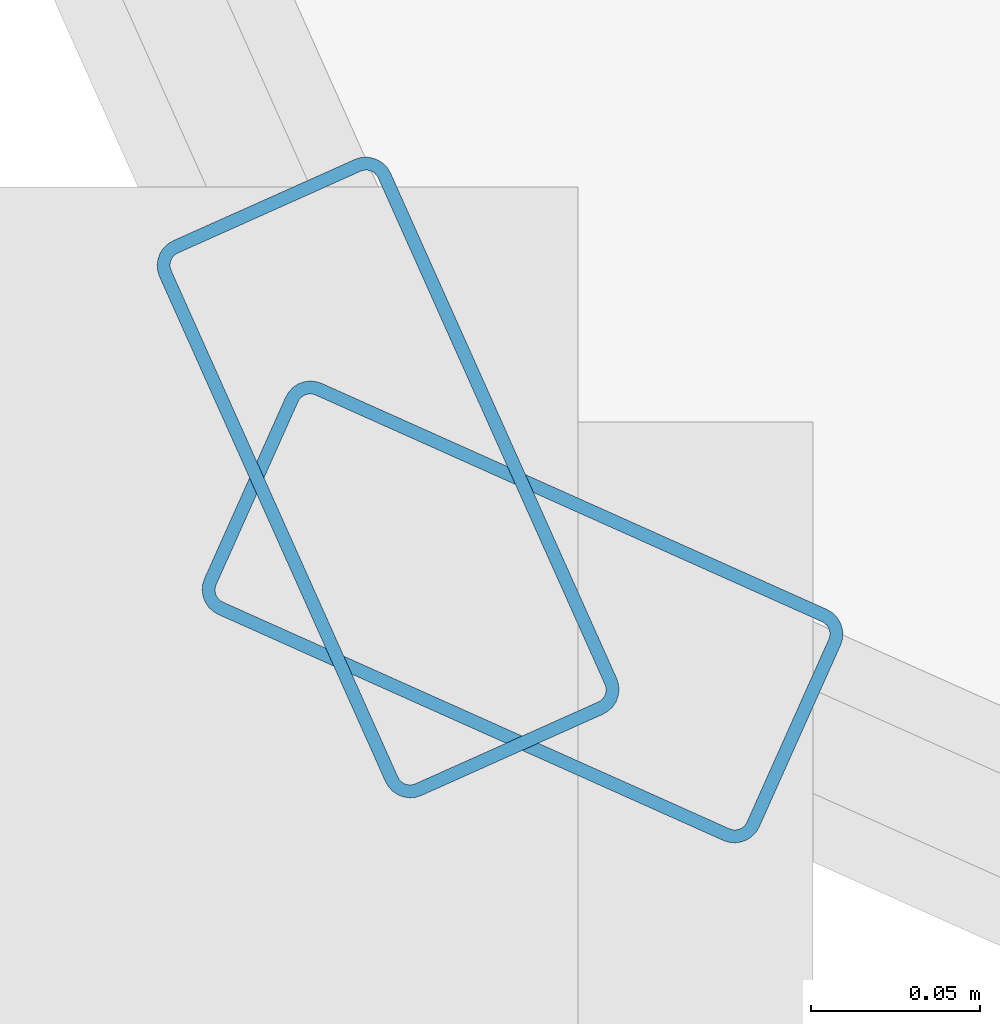
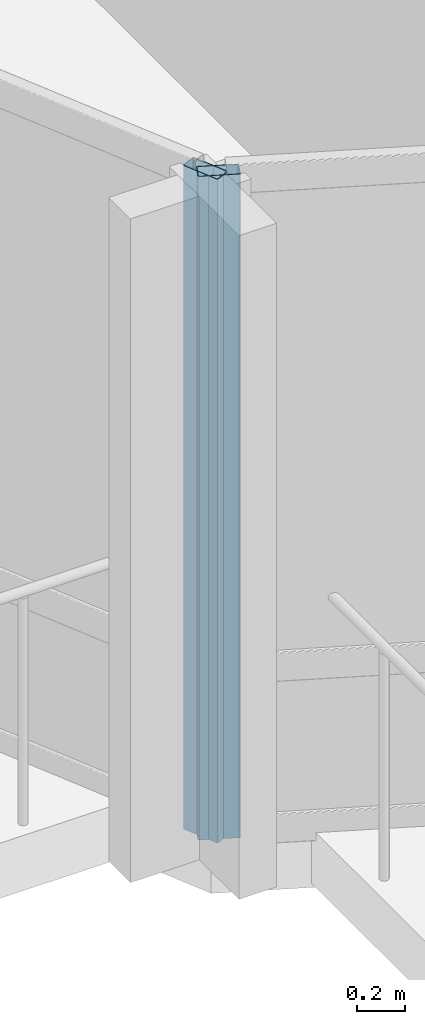
# One storey, part 2 of 19: 2 members, 2 elements without a shape of their own.
"""IFC4 building model written with IfcOpenShell, lengths in metres."""

from ifc_helpers import new_model, si_unit, direction, frame, origin, origin_2d, place, context, subcontext, project, spatial, hollow_rectangle, extrude, material, layer, layer_set, material_profile, profile_set, type_object, element, aggregate, save


model = new_model("IFC4")

# Units and contexts
model_context = context("Model", 3, precision=1e-05, world=origin(), true_north=direction((0.0, 1.0)))
body_context = subcontext(model_context, "Body", "Model", "MODEL_VIEW")
ifc_project = project(units=[si_unit("LENGTHUNIT", "METRE"), si_unit("AREAUNIT", "SQUARE_METRE"), si_unit("VOLUMEUNIT", "CUBIC_METRE"), si_unit("PLANEANGLEUNIT", "RADIAN"), si_unit("MASSUNIT", "GRAM", prefix="KILO")], contexts=[model_context])

# Site, building, storey
site_placement = place(None, origin())
site = spatial("IfcSite", under=ifc_project, at=site_placement, CompositionType="ELEMENT")
building_placement = place(site_placement, origin())
building = spatial("IfcBuilding", under=site, at=building_placement, Name="Solvaryn Broadcast Tower", CompositionType="ELEMENT")
storey_placement = place(building_placement, frame((0.0, 0.0, 281.5)))
storey = spatial("IfcBuildingStorey", under=building, at=storey_placement, Name="L71", CompositionType="ELEMENT", Elevation=281.5)

# Curtain wall, member
ifc_material_1 = material(Name="Aluminium and Terracotta Unitised Curtain Wall", Category="masonry")
ifc_layer = layer(ifc_material_1, 0.199951171875)
ifc_layer_set = layer_set([ifc_layer], Name="CW-SYS2-LOWMID")
curtain_wall_type = type_object("IfcCurtainWallType", Name="CW-SYS2-LOWMID", PredefinedType="NOTDEFINED", material=ifc_layer_set)
curtain_wall_1_placement = place(storey_placement, origin())
curtain_wall_1 = element("IfcCurtainWall", 1, at=curtain_wall_1_placement, inside=storey, type_object=curtain_wall_type, Name="L71 Curtain Wall DR2", PredefinedType="NOTDEFINED")
ifc_material_2 = material(Name="Anodised Aluminium 6063-T6", Category="aluminium")
ifc_material_profile = material_profile(ifc_material_2, hollow_rectangle(XDim=0.074951171875, YDim=0.179931640625, WallThickness=0.00390625, InnerFilletRadius=0.00390625, OuterFilletRadius=0.008056640625, at=origin_2d()))
ifc_profile_set = profile_set([ifc_material_profile], Name="Anodised Aluminium 6063-T6")
member_type = type_object("IfcMemberType", Name="CW-MUL-180", PredefinedType="MULLION", material=ifc_profile_set)
member_1_placement = place(storey_placement, frame((10.8046875, 10.844482421875, 0.0), z_axis=(0.0, 0.0, 1.0), x_axis=(0.912773530574, 0.408466010682, 0.0)))
member_1 = element("IfcMember", 2, at=member_1_placement, type_object=member_type, Name="CWS2 mullion 2", PredefinedType="MULLION", context=body_context, shape_type="SweptSolid", body=[
    extrude(hollow_rectangle(XDim=0.074951171875, YDim=0.179931640625, WallThickness=0.00390625, InnerFilletRadius=0.00390625, OuterFilletRadius=0.008056640625, at=origin_2d()), origin(), (0.0, 0.0, 1.0), 3.3701171875),
])
aggregate(curtain_wall_1, [member_1])

curtain_wall_2_placement = place(storey_placement, origin())
curtain_wall_2 = element("IfcCurtainWall", 3, at=curtain_wall_2_placement, inside=storey, type_object=curtain_wall_type, Name="L71 Curtain Wall DR3", PredefinedType="NOTDEFINED")
member_2_placement = place(storey_placement, frame((10.844482421875, 10.8046875, 0.0), z_axis=(0.0, 0.0, 1.0), x_axis=(0.408466010682, 0.912773530574, 0.0)))
member_2 = element("IfcMember", 4, at=member_2_placement, type_object=member_type, Name="CWS2 mullion 1", PredefinedType="MULLION", context=body_context, shape_type="SweptSolid", body=[
    extrude(hollow_rectangle(XDim=0.074951171875, YDim=0.179931640625, WallThickness=0.00390625, InnerFilletRadius=0.00390625, OuterFilletRadius=0.008056640625, at=origin_2d()), origin(), (0.0, 0.0, 1.0), 3.3701171875),
])
aggregate(curtain_wall_2, [member_2])

save(model, "model.ifc")
